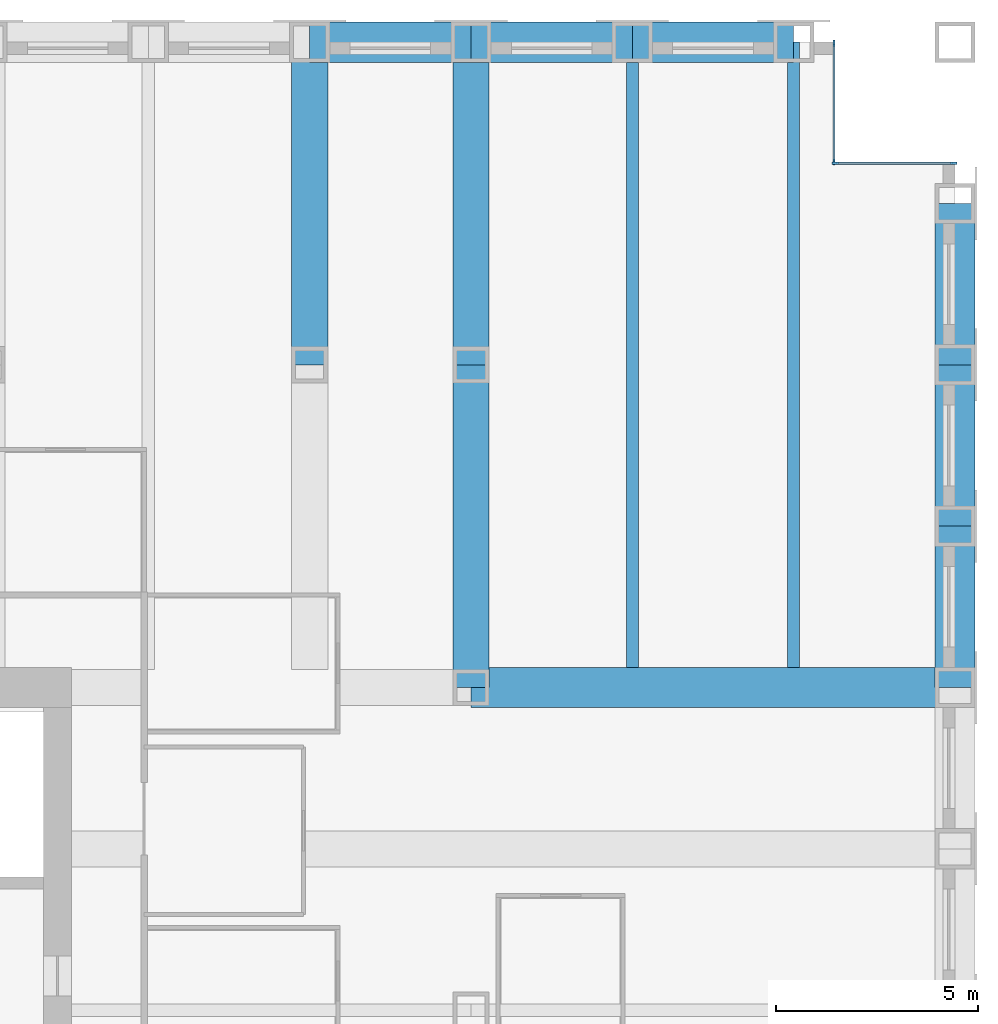
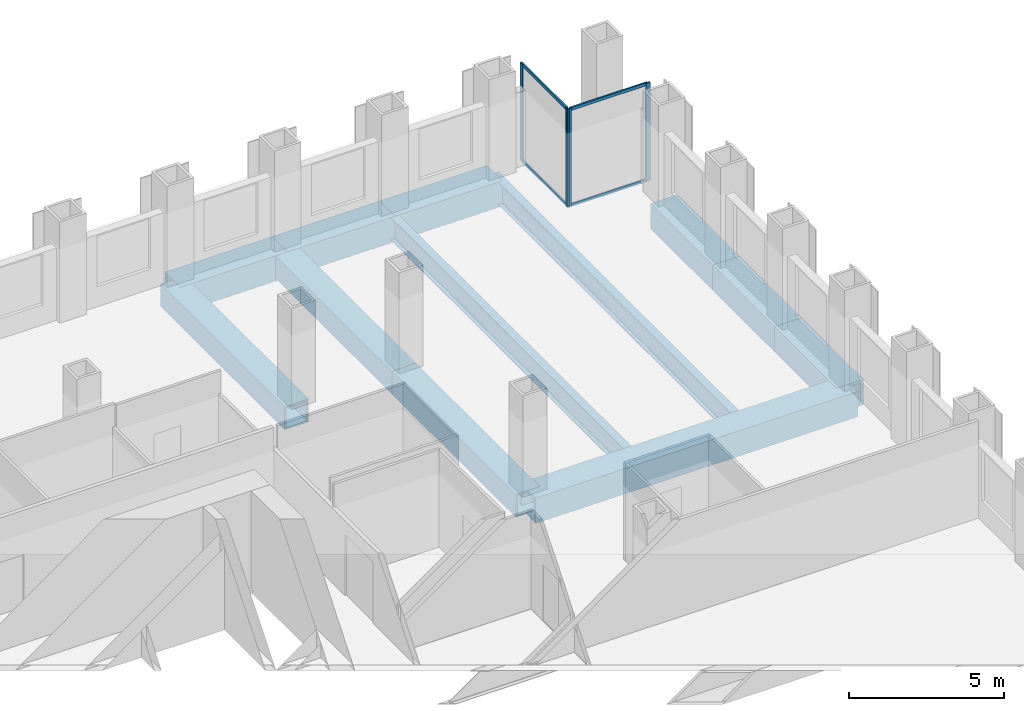
# One storey, part 9 of 16: 12 beams, 8 members, 2 elements without a shape of their own.
"""IFC4 building model written with IfcOpenShell, lengths in metres."""

import ifcopenshell
import ifcopenshell.guid

model = None  # the IFC model being written
_history = None  # IfcOwnerHistory: only IFC2X3 demands one
_inside = {}  # id of a spatial element -> (the spatial element, [elements in it])
_under = {}  # id of a project, library or spatial element -> (it, [spatial elements below it])
_declared = {}  # id of a project -> (the project, [libraries it declares])
_typed = {}  # id of a type object -> (the type object, [elements of that type])
_made_of = {}  # id of a material, layer set ... -> (it, [elements and type objects made of it])


def new_model(schema):
    """Start an empty IFC model of exactly this schema.

    Asked for "IFC4X3", IfcOpenShell would pick the latest addendum, in which some entities
    have other attributes; the version numbers below select the first issue.
    IFC2X3 requires an IfcOwnerHistory on every rooted entity: one is made here for all.
    """
    global model, _history
    if schema == "IFC4X3":
        model = ifcopenshell.file(schema_version=(4, 3, 0, 0))
    else:
        model = ifcopenshell.file(schema=schema)
    _inside.clear()
    _under.clear()
    _declared.clear()
    _typed.clear()
    _made_of.clear()
    _history = None
    if model.schema == "IFC2X3":
        org = make("IfcOrganization", Name="unknown")
        user = make(
            "IfcPersonAndOrganization",
            ThePerson=make("IfcPerson", FamilyName="unknown"),
            TheOrganization=org,
        )
        app = make(
            "IfcApplication",
            ApplicationDeveloper=org,
            Version="unknown",
            ApplicationFullName="unknown",
            ApplicationIdentifier="unknown",
        )
        _history = make(
            "IfcOwnerHistory",
            OwningUser=user,
            OwningApplication=app,
            ChangeAction="ADDED",
            CreationDate=0,
        )
    return model


def make(cls, **values):
    """One entity of the class cls with the attributes given. An attribute that is None is left unset."""
    return model.create_entity(
        cls, **{name: value for name, value in values.items() if value is not None}
    )


def rooted(cls, **values):
    """An entity with a GlobalId (a new one), such as an element, a storey or a relation."""
    return make(cls, GlobalId=ifcopenshell.guid.new(), OwnerHistory=_history, **values)


def si_unit(unit_type, name, prefix=None):
    """IfcSIUnit, for example si_unit("LENGTHUNIT", "METRE", prefix="MILLI")."""
    return make("IfcSIUnit", UnitType=unit_type, Prefix=prefix, Name=name)


def assignment(units):
    """IfcUnitAssignment: the units of a project."""
    return None if units is None else make("IfcUnitAssignment", Units=units)


def point(xyz):
    """IfcCartesianPoint."""
    return None if xyz is None else make("IfcCartesianPoint", Coordinates=xyz)


def direction(xyz):
    """IfcDirection."""
    return None if xyz is None else make("IfcDirection", DirectionRatios=xyz)


def frame(location, z_axis=None, x_axis=None):
    """IfcAxis2Placement3D, a coordinate frame: its origin and axes. An axis left out is left unset."""
    return make(
        "IfcAxis2Placement3D",
        Location=point(location),
        Axis=direction(z_axis),
        RefDirection=direction(x_axis),
    )


def frame_2d(location, x_axis=None):
    """IfcAxis2Placement2D, a coordinate frame in the plane: its origin and x axis."""
    return make(
        "IfcAxis2Placement2D", Location=point(location), RefDirection=direction(x_axis)
    )


def origin():
    """The frame at (0, 0, 0) with its axes left unset."""
    return frame((0.0, 0.0, 0.0))


def origin_2d():
    """The frame at (0, 0) in the plane with its x axis left unset."""
    return frame_2d((0.0, 0.0))


def place(relative_to, where):
    """IfcLocalPlacement: puts the frame where relative to a parent placement (None: the world)."""
    return make(
        "IfcLocalPlacement", PlacementRelTo=relative_to, RelativePlacement=where
    )


def context(
    kind, dimensions, precision=None, world=None, true_north=None, identifier=None
):
    """IfcGeometricRepresentationContext, for example the 3D "Model" context."""
    return make(
        "IfcGeometricRepresentationContext",
        ContextIdentifier=identifier,
        ContextType=kind,
        CoordinateSpaceDimension=dimensions,
        Precision=precision,
        WorldCoordinateSystem=world,
        TrueNorth=true_north,
    )


def subcontext(parent, identifier, kind, view, scale=None):
    """IfcGeometricRepresentationSubContext, for example "Body" below "Model"."""
    return make(
        "IfcGeometricRepresentationSubContext",
        ContextIdentifier=identifier,
        ContextType=kind,
        ParentContext=parent,
        TargetScale=scale,
        TargetView=view,
    )


def project(units=None, contexts=None):
    """IfcProject with its units and contexts."""
    return rooted(
        "IfcProject",
        Name="project",
        RepresentationContexts=contexts,
        UnitsInContext=assignment(units),
    )


def spatial(cls, under=None, at=None, **own):
    """A site, building, storey or space (cls), placed at a placement, below another one or the project."""
    s = rooted(cls, ObjectPlacement=at, **own)
    if under is not None:
        _under.setdefault(under.id(), (under, []))[1].append(s)
    return s


def profile(cls, at=None, kind="AREA", **sizes):
    """A parametric profile (cls). Its sizes go by their IFC names, for example OverallWidth=200.0."""
    return make(cls, ProfileType=kind, Position=at, **sizes)


def rectangle(**sizes):
    """IfcRectangleProfileDef."""
    return profile("IfcRectangleProfileDef", **sizes)


def hollow_rectangle(**sizes):
    """IfcRectangleHollowProfileDef."""
    return profile("IfcRectangleHollowProfileDef", **sizes)


def i_section(**sizes):
    """IfcIShapeProfileDef."""
    return profile("IfcIShapeProfileDef", **sizes)


def extrude(swept, where, along, depth):
    """IfcExtrudedAreaSolid: the profile swept, set in the frame where, extruded along a direction by depth."""
    return make(
        "IfcExtrudedAreaSolid",
        SweptArea=swept,
        Position=where,
        ExtrudedDirection=direction(along),
        Depth=depth,
    )


def shape(context_of_items, identifier, shape_type, items):
    """IfcShapeRepresentation: the items that make up one representation, for example the "Body"."""
    return make(
        "IfcShapeRepresentation",
        ContextOfItems=context_of_items,
        RepresentationIdentifier=identifier,
        RepresentationType=shape_type,
        Items=items,
    )


def material(Name=None, Category=None):
    """IfcMaterial."""
    return make("IfcMaterial", Name=Name, Category=Category)


def material_profile(
    of_material, cross_section, Name=None, Category=None, Priority=None
):
    """IfcMaterialProfile: a cross section and its material."""
    return make(
        "IfcMaterialProfile",
        Name=Name,
        Material=of_material,
        Profile=cross_section,
        Priority=Priority,
        Category=Category,
    )


def profile_set(profiles, Name=None, composite=None):
    """IfcMaterialProfileSet."""
    return make(
        "IfcMaterialProfileSet",
        Name=Name,
        MaterialProfiles=profiles,
        CompositeProfile=composite,
    )


def made_of(thing, what):
    """Note that an element or type object is made of a material, layer set ...; save() writes the relation."""
    if what is not None:
        _made_of.setdefault(what.id(), (what, []))[1].append(thing)
    return thing


def type_object(cls, material=None, **own):
    """A type object (cls), such as IfcWallType, which elements share."""
    return made_of(rooted(cls, **own), material)


def element(
    cls,
    number,
    at=None,
    inside=None,
    cuts=None,
    type_object=None,
    material=None,
    context=None,
    identifier="Body",
    shape_type=None,
    held_by="IfcProductDefinitionShape",
    body=None,
    shapes=None,
    **own,
):
    """One element of the class cls, such as IfcWall. Its Tag is "e" and its number.

    at: its placement. inside: the storey or other place that contains it. cuts: it is an
    opening in that element (IfcRelVoidsElement). A single representation is given by context,
    identifier, shape_type and body (its items); several are given by shapes. held_by: the class
    of the entity that holds the representations. save() writes the other relations.
    """
    e = rooted(cls, Tag="e%d" % number, ObjectPlacement=at, **own)
    if body is not None:
        shapes = [shape(context, identifier, shape_type, body)]
    if shapes is not None:
        e.Representation = make(held_by, Representations=shapes)
    if inside is not None:
        _inside.setdefault(inside.id(), (inside, []))[1].append(e)
    if cuts is not None:
        rooted(
            "IfcRelVoidsElement", RelatingBuildingElement=cuts, RelatedOpeningElement=e
        )
    if type_object is not None:
        _typed.setdefault(type_object.id(), (type_object, []))[1].append(e)
    return made_of(e, material)


def aggregate(whole, parts):
    """IfcRelAggregates: a whole, such as a stair, and the parts it consists of."""
    return rooted("IfcRelAggregates", RelatingObject=whole, RelatedObjects=parts)


def save(model, path):
    """Write the relations noted so far, then the file.

    IfcRelAggregates (storeys below a building ...), IfcRelContainedInSpatialStructure (elements
    in a storey), IfcRelDefinesByType, IfcRelAssociatesMaterial and IfcRelDeclares: one each for
    every whole, place, type object, material and project.
    """
    for whole, parts in _under.values():
        aggregate(whole, parts)
    for where, things in _inside.values():
        rooted(
            "IfcRelContainedInSpatialStructure",
            RelatedElements=things,
            RelatingStructure=where,
        )
    for kind, things in _typed.values():
        rooted("IfcRelDefinesByType", RelatedObjects=things, RelatingType=kind)
    for what, things in _made_of.values():
        rooted("IfcRelAssociatesMaterial", RelatedObjects=things, RelatingMaterial=what)
    for by, libraries in _declared.values():
        rooted("IfcRelDeclares", RelatingContext=by, RelatedDefinitions=libraries)
    model.write(path)


model = new_model("IFC4")

# Units and contexts
model_context = context("Model", 3, precision=1e-05, world=origin(), true_north=direction((0.0, 1.0)))
body_context = subcontext(model_context, "Body", "Model", "MODEL_VIEW")
ifc_project = project(units=[si_unit("LENGTHUNIT", "METRE"), si_unit("AREAUNIT", "SQUARE_METRE"), si_unit("VOLUMEUNIT", "CUBIC_METRE"), si_unit("PLANEANGLEUNIT", "RADIAN"), si_unit("MASSUNIT", "GRAM", prefix="KILO")], contexts=[model_context])

# Site, building, storey
site_placement = place(None, origin())
site = spatial("IfcSite", under=ifc_project, at=site_placement, CompositionType="ELEMENT")
building_placement = place(site_placement, origin())
building = spatial("IfcBuilding", under=site, at=building_placement, Name="Rimbunsela Tower", CompositionType="ELEMENT")
storey_placement = place(building_placement, frame((0.0, 0.0, 129.39990234375)))
storey = spatial("IfcBuildingStorey", under=building, at=storey_placement, Name="L31", CompositionType="ELEMENT", Elevation=129.39990234375)

# Beams
ifc_material_1 = material(Name="Steel BJ 55 (fy 410 MPa)", Category="steel")
ifc_material_profile_1 = material_profile(ifc_material_1, hollow_rectangle(XDim=1.0, YDim=1.0, WallThickness=0.10009765625, at=origin_2d()), Name="BOX 1000x1000x100")
ifc_profile_set_1 = profile_set([ifc_material_profile_1], Name="Steel BJ 55 (fy 410 MPa)")
beam_type_1 = type_object("IfcBeamType", Name="Beam BOX 1000x1000x100", PredefinedType="BEAM", material=ifc_profile_set_1)
beam_1_placement = place(storey_placement, frame((42.0, 52.0, -0.64990234375), z_axis=(1.0, 0.0, 0.0), x_axis=(0.0, 1.0, 0.0)))
element("IfcBeam", 1, at=beam_1_placement, inside=storey, type_object=beam_type_1, Name="Beam B3 L31", PredefinedType="BEAM", context=body_context, shape_type="SweptSolid", body=[
    extrude(hollow_rectangle(XDim=1.0, YDim=1.0, WallThickness=0.10009765625, at=origin_2d()), origin(), (0.0, 0.0, 1.0), 4.0),
])
beam_2_placement = place(storey_placement, frame((46.0, 36.0, -0.64990234375), z_axis=(1.0, 0.0, 0.0), x_axis=(0.0, 1.0, 0.0)))
element("IfcBeam", 2, at=beam_2_placement, inside=storey, type_object=beam_type_1, Name="Beam B3 L31", PredefinedType="BEAM", context=body_context, shape_type="SweptSolid", body=[
    extrude(hollow_rectangle(XDim=1.0, YDim=1.0, WallThickness=0.10009765625, at=origin_2d()), origin(), (0.0, 0.0, 1.0), 12.0),
])
for number, where, z_axis, x_axis, name in (
    (3, (46.0, 52.0, -0.64990234375), (1.0, 0.0, 0.0), (0.0, 1.0, 0.0), "Beam B3 L31"),
    (4, (50.0, 52.0, -0.64990234375), (1.0, 0.0, 0.0), (0.0, 1.0, 0.0), "Beam B3 L31"),
    (5, (58.0, 36.0, -0.64990234375), (0.0, 1.0, 0.0), (-1.0, 0.0, 0.0), "Beam B3 L31"),
    (6, (58.0, 40.0, -0.64990234375), (0.0, 1.0, 0.0), (-1.0, 0.0, 0.0), "Beam B3 L31"),
    (7, (58.0, 44.0, -0.64990234375), (0.0, 1.0, 0.0), (-1.0, 0.0, 0.0), "Beam B3 L31"),
):
    element("IfcBeam", number, at=place(storey_placement, frame(where, z_axis=z_axis, x_axis=x_axis)), inside=storey, type_object=beam_type_1, Name=name, PredefinedType="BEAM", context=body_context, shape_type="SweptSolid", body=[
        extrude(hollow_rectangle(XDim=1.0, YDim=1.0, WallThickness=0.10009765625, at=origin_2d()), origin(), (0.0, 0.0, 1.0), 4.0),
    ])
ifc_material_2 = material(Name="Steel BJ 55 (fy 410 MPa)", Category="steel")
ifc_material_profile_2 = material_profile(ifc_material_2, hollow_rectangle(XDim=0.89990234375, YDim=0.89990234375, WallThickness=0.06005859375, at=origin_2d()), Name="BOX 900x900x60")
ifc_profile_set_2 = profile_set([ifc_material_profile_2], Name="Steel BJ 55 (fy 410 MPa)")
beam_type_2 = type_object("IfcBeamType", Name="Beam BOX 900x900x60", PredefinedType="BEAM", material=ifc_profile_set_2)
for number, where, z_axis, x_axis, name in (
    (8, (42.0, 44.0, -0.599853515625), (0.0, 1.0, 0.0), (-1.0, 0.0, 0.0), "Beam B1 L31"),
    (9, (46.0, 36.0, -0.599853515625), (0.0, 1.0, 0.0), (-1.0, 0.0, 0.0), "Beam B1 L31"),
    (10, (46.0, 44.0, -0.599853515625), (0.0, 1.0, 0.0), (-1.0, 0.0, 0.0), "Beam B1 L31"),
):
    element("IfcBeam", number, at=place(storey_placement, frame(where, z_axis=z_axis, x_axis=x_axis)), inside=storey, type_object=beam_type_2, Name=name, PredefinedType="BEAM", context=body_context, shape_type="SweptSolid", body=[
        extrude(hollow_rectangle(XDim=0.89990234375, YDim=0.89990234375, WallThickness=0.06005859375, at=origin_2d()), origin(), (0.0, 0.0, 1.0), 8.0),
    ])
ifc_material_3 = material(Name="Steel BJ 55 (fy 410 MPa)", Category="steel")
ifc_material_profile_3 = material_profile(ifc_material_3, i_section(OverallWidth=0.300048828125, OverallDepth=0.89990234375, WebThickness=0.01611328125, FlangeThickness=0.028076171875, FilletRadius=0.028076171875, at=origin_2d()), Name="H 900x300x16x28")
ifc_profile_set_3 = profile_set([ifc_material_profile_3], Name="Steel BJ 55 (fy 410 MPa)")
beam_type_3 = type_object("IfcBeamType", Name="Beam H 900x300x16x28", PredefinedType="BEAM", material=ifc_profile_set_3)
for number, where, z_axis, x_axis, name in (
    (11, (50.0, 36.5, -0.599853515625), (0.0, 1.0, 0.0), (-1.0, 0.0, 0.0), "Beam B2 L31"),
    (12, (54.0, 36.5, -0.599853515625), (0.0, 1.0, 0.0), (-1.0, 0.0, 0.0), "Beam B2 L31"),
):
    element("IfcBeam", number, at=place(storey_placement, frame(where, z_axis=z_axis, x_axis=x_axis)), inside=storey, type_object=beam_type_3, Name=name, PredefinedType="BEAM", context=body_context, shape_type="SweptSolid", body=[
        extrude(i_section(OverallWidth=0.300048828125, OverallDepth=0.89990234375, WebThickness=0.01611328125, FlangeThickness=0.028076171875, FilletRadius=0.028076171875, at=origin_2d()), origin(), (0.0, 0.0, 1.0), 15.5),
    ])

# Curtain wall, members
ifc_material_4 = material(Name="Aluminium curtain wall", Category="aluminium")
curtain_wall_type = type_object("IfcCurtainWallType", Name="Corner glazing", PredefinedType="USERDEFINED", material=ifc_material_4)
curtain_wall_1_placement = place(storey_placement, origin())
curtain_wall_1 = element("IfcCurtainWall", 13, at=curtain_wall_1_placement, inside=storey, type_object=curtain_wall_type, Name="Corner glazing L31", ObjectType="CORNER GLAZING", PredefinedType="USERDEFINED")
ifc_material_5 = material(Name="Aluminium mullion", Category="aluminium")
ifc_material_profile_4 = material_profile(ifc_material_5, rectangle(XDim=0.06005859375, YDim=0.159912109375, at=origin_2d()), Name="Mullion 60x160")
ifc_profile_set_4 = profile_set([ifc_material_profile_4], Name="Aluminium mullion")
member_type_1 = type_object("IfcMemberType", Name="Curtain wall mullion 60x160", PredefinedType="MULLION", material=ifc_profile_set_4)
member_1_placement = place(storey_placement, frame((57.969970703125, 49.0, 0.0), z_axis=(0.0, 0.0, 1.0), x_axis=(0.0, -1.0, 0.0)))
member_1 = element("IfcMember", 14, at=member_1_placement, type_object=member_type_1, Name="CW5 mullion 1", PredefinedType="MULLION", context=body_context, shape_type="SweptSolid", body=[
    extrude(rectangle(XDim=0.06005859375, YDim=0.159912109375, at=origin_2d()), origin(), (0.0, 0.0, 1.0), 3.85009765625),
])
member_2_placement = place(storey_placement, frame((55.030029296875, 49.0, 0.0), z_axis=(0.0, 0.0, 1.0), x_axis=(0.0, -1.0, 0.0)))
member_2 = element("IfcMember", 15, at=member_2_placement, type_object=member_type_1, Name="CW5 mullion 2", PredefinedType="MULLION", context=body_context, shape_type="SweptSolid", body=[
    extrude(rectangle(XDim=0.06005859375, YDim=0.159912109375, at=origin_2d()), origin(), (0.0, 0.0, 1.0), 3.85009765625),
])

curtain_wall_2_placement = place(storey_placement, origin())
curtain_wall_2 = element("IfcCurtainWall", 16, at=curtain_wall_2_placement, inside=storey, type_object=curtain_wall_type, Name="Corner glazing L31", ObjectType="CORNER GLAZING", PredefinedType="USERDEFINED")
member_3_placement = place(storey_placement, frame((55.0, 49.030029296875, 0.0), z_axis=(0.0, 0.0, 1.0), x_axis=(-1.0, 0.0, 0.0)))
member_3 = element("IfcMember", 17, at=member_3_placement, type_object=member_type_1, Name="CW5 mullion 1", PredefinedType="MULLION", context=body_context, shape_type="SweptSolid", body=[
    extrude(rectangle(XDim=0.06005859375, YDim=0.159912109375, at=origin_2d()), origin(), (0.0, 0.0, 1.0), 3.85009765625),
])
member_4_placement = place(storey_placement, frame((55.0, 51.969970703125, 0.0), z_axis=(0.0, 0.0, 1.0), x_axis=(-1.0, 0.0, 0.0)))
member_4 = element("IfcMember", 18, at=member_4_placement, type_object=member_type_1, Name="CW5 mullion 2", PredefinedType="MULLION", context=body_context, shape_type="SweptSolid", body=[
    extrude(rectangle(XDim=0.06005859375, YDim=0.159912109375, at=origin_2d()), origin(), (0.0, 0.0, 1.0), 3.85009765625),
])

# Member
ifc_material_6 = material(Name="Aluminium transom", Category="aluminium")
ifc_material_profile_5 = material_profile(ifc_material_6, rectangle(XDim=0.06005859375, YDim=0.1201171875, at=origin_2d()), Name="Transom 60x120")
ifc_profile_set_5 = profile_set([ifc_material_profile_5], Name="Aluminium transom")
member_type_2 = type_object("IfcMemberType", Name="Curtain wall transom 60x120", PredefinedType="USERDEFINED", material=ifc_profile_set_5)
member_5_placement = place(storey_placement, frame((57.93994140625, 49.0, 0.030029296875), z_axis=(-1.0, 0.0, 0.0), x_axis=(0.0, -1.0, 0.0)))
member_5 = element("IfcMember", 19, at=member_5_placement, type_object=member_type_2, Name="CW5 transom 1.1", ObjectType="TRANSOM", PredefinedType="USERDEFINED", context=body_context, shape_type="SweptSolid", body=[
    extrude(rectangle(XDim=0.06005859375, YDim=0.1201171875, at=origin_2d()), origin(), (0.0, 0.0, 1.0), 2.8798828125),
])

member_6_placement = place(storey_placement, frame((57.93994140625, 49.0, 3.820068359375), z_axis=(-1.0, 0.0, 0.0), x_axis=(0.0, -1.0, 0.0)))
member_6 = element("IfcMember", 20, at=member_6_placement, type_object=member_type_2, Name="CW5 transom 1.2", ObjectType="TRANSOM", PredefinedType="USERDEFINED", context=body_context, shape_type="SweptSolid", body=[
    extrude(rectangle(XDim=0.06005859375, YDim=0.1201171875, at=origin_2d()), origin(), (0.0, 0.0, 1.0), 2.8798828125),
])

aggregate(curtain_wall_1, [member_1, member_2, member_5, member_6])

member_7_placement = place(storey_placement, frame((55.0, 49.06005859375, 0.030029296875), z_axis=(0.0, 1.0, 0.0), x_axis=(-1.0, 0.0, 0.0)))
member_7 = element("IfcMember", 21, at=member_7_placement, type_object=member_type_2, Name="CW5 transom 1.1", ObjectType="TRANSOM", PredefinedType="USERDEFINED", context=body_context, shape_type="SweptSolid", body=[
    extrude(rectangle(XDim=0.06005859375, YDim=0.1201171875, at=origin_2d()), origin(), (0.0, 0.0, 1.0), 2.8798828125),
])

member_8_placement = place(storey_placement, frame((55.0, 49.06005859375, 3.820068359375), z_axis=(0.0, 1.0, 0.0), x_axis=(-1.0, 0.0, 0.0)))
member_8 = element("IfcMember", 22, at=member_8_placement, type_object=member_type_2, Name="CW5 transom 1.2", ObjectType="TRANSOM", PredefinedType="USERDEFINED", context=body_context, shape_type="SweptSolid", body=[
    extrude(rectangle(XDim=0.06005859375, YDim=0.1201171875, at=origin_2d()), origin(), (0.0, 0.0, 1.0), 2.8798828125),
])

aggregate(curtain_wall_2, [member_3, member_4, member_7, member_8])

save(model, "model.ifc")
